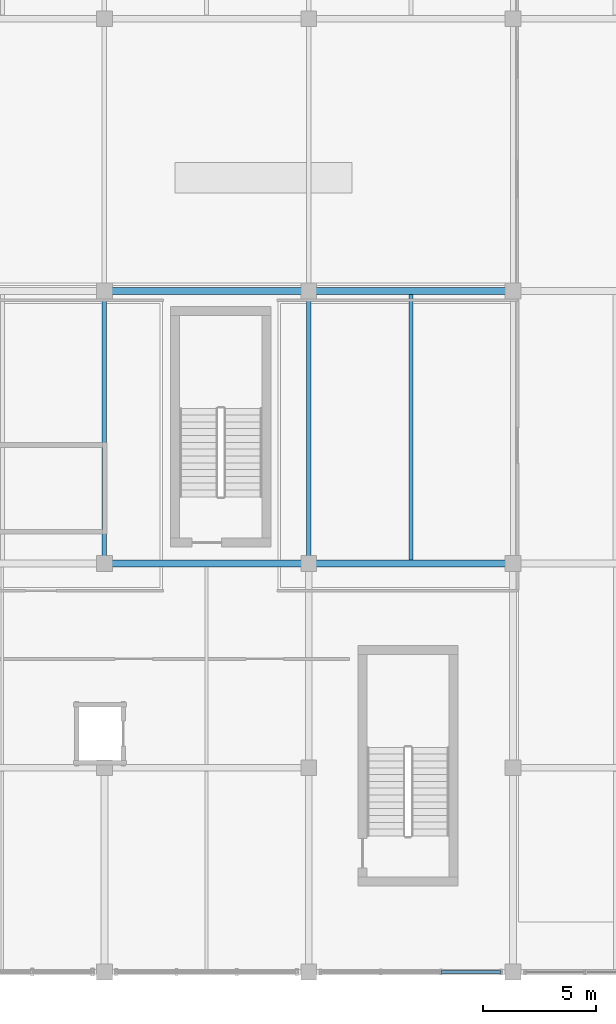
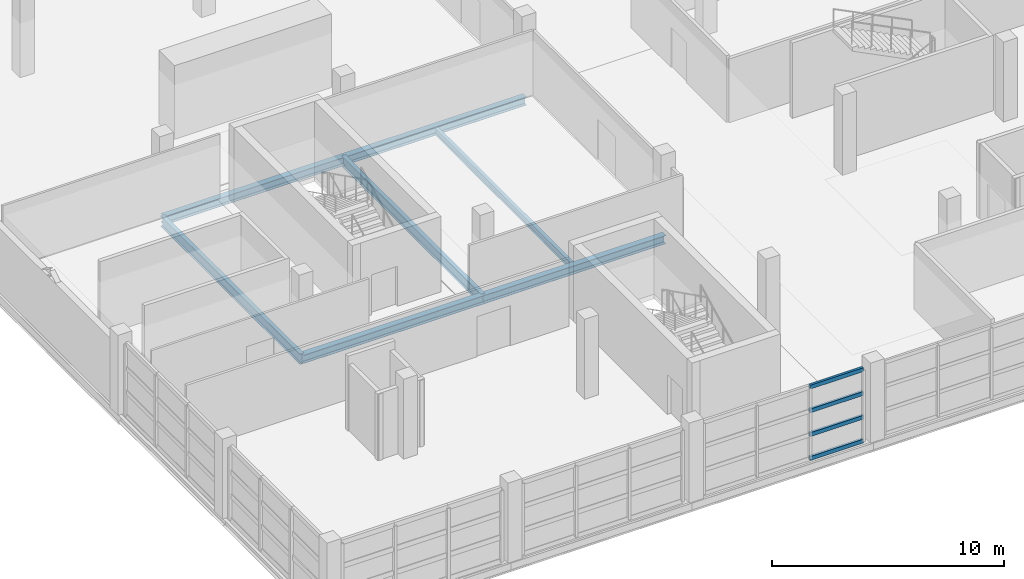
# One storey, part 61 of 136: 7 beams, 4 members, 1 element without a shape of its own.
"""IFC4 building model written with IfcOpenShell, lengths in metres."""

from ifc_helpers import new_model, si_unit, direction, frame, origin, origin_2d, place, context, subcontext, project, spatial, hollow_rectangle, i_section, extrude, material, material_profile, profile_set, type_object, element, aggregate, save


model = new_model("IFC4")

# Units and contexts
model_context = context("Model", 3, precision=1e-05, world=origin(), true_north=direction((0.0, 1.0)))
body_context = subcontext(model_context, "Body", "Model", "MODEL_VIEW")
ifc_project = project(units=[si_unit("LENGTHUNIT", "METRE"), si_unit("AREAUNIT", "SQUARE_METRE"), si_unit("VOLUMEUNIT", "CUBIC_METRE"), si_unit("PLANEANGLEUNIT", "RADIAN"), si_unit("MASSUNIT", "GRAM", prefix="KILO")], contexts=[model_context])

# Site, building, storey
site_placement = place(None, origin())
site = spatial("IfcSite", under=ifc_project, at=site_placement, CompositionType="ELEMENT")
building_placement = place(site_placement, origin())
building = spatial("IfcBuilding", under=site, at=building_placement, Name="Chuanluo Vaults Station", CompositionType="ELEMENT")
storey_placement = place(building_placement, frame((0.0, 0.0, 6.60009765625)))
storey = spatial("IfcBuildingStorey", under=building, at=storey_placement, Name="L01", CompositionType="ELEMENT", Elevation=6.60009765625)

# Beams
ifc_material_1 = material(Name="Steel Q355C", Category="steel")
ifc_material_profile_1 = material_profile(ifc_material_1, i_section(OverallWidth=0.300048828125, OverallDepth=0.43994140625, WebThickness=0.010986328125, FlangeThickness=0.01806640625, FilletRadius=0.02001953125, at=origin_2d()))
ifc_profile_set_1 = profile_set([ifc_material_profile_1], Name="Steel Q355C")
beam_type_1 = type_object("IfcBeamType", Name="BM-GRD-450", PredefinedType="USERDEFINED", material=ifc_profile_set_1)
for number, where, z_axis, x_axis, name in (
    (1, (145.0, 18.0, -0.460205078125), (1.0, 0.0, 0.0), (0.0, 1.0, 0.0), "Floor girder BM:GX:L01:0297"),
    (2, (154.0, 18.0, -0.460205078125), (1.0, 0.0, 0.0), (0.0, 1.0, 0.0), "Floor girder BM:GX:L01:0298"),
    (3, (145.0, 30.0, -0.460205078125), (1.0, 0.0, 0.0), (0.0, 1.0, 0.0), "Floor girder BM:GX:L01:0305"),
    (4, (154.0, 30.0, -0.460205078125), (1.0, 0.0, 0.0), (0.0, 1.0, 0.0), "Floor girder BM:GX:L01:0306"),
):
    element("IfcBeam", number, at=place(storey_placement, frame(where, z_axis=z_axis, x_axis=x_axis)), inside=storey, type_object=beam_type_1, Name=name, ObjectType="GIRDER", PredefinedType="USERDEFINED", context=body_context, shape_type="SweptSolid", body=[
        extrude(i_section(OverallWidth=0.300048828125, OverallDepth=0.43994140625, WebThickness=0.010986328125, FlangeThickness=0.01806640625, FilletRadius=0.02001953125, at=origin_2d()), origin(), (0.0, 0.0, 1.0), 9.0),
    ])
ifc_material_2 = material(Name="Steel Q355C", Category="steel")
ifc_material_profile_2 = material_profile(ifc_material_2, i_section(OverallWidth=0.199951171875, OverallDepth=0.550048828125, WebThickness=0.010009765625, FlangeThickness=0.01611328125, FilletRadius=0.01806640625, at=origin_2d()))
ifc_profile_set_2 = profile_set([ifc_material_profile_2], Name="Steel Q355C")
beam_type_2 = type_object("IfcBeamType", Name="BM-GRD-550", PredefinedType="USERDEFINED", material=ifc_profile_set_2)
for number, where, z_axis, x_axis, name in (
    (5, (145.0, 18.0, -0.51513671875), (0.0, 1.0, 0.0), (-1.0, 0.0, 0.0), "Floor girder BM:GY:L01:0467"),
    (6, (154.0, 18.0, -0.51513671875), (0.0, 1.0, 0.0), (-1.0, 0.0, 0.0), "Floor girder BM:GY:L01:0479"),
):
    element("IfcBeam", number, at=place(storey_placement, frame(where, z_axis=z_axis, x_axis=x_axis)), inside=storey, type_object=beam_type_2, Name=name, ObjectType="GIRDER", PredefinedType="USERDEFINED", context=body_context, shape_type="SweptSolid", body=[
        extrude(i_section(OverallWidth=0.199951171875, OverallDepth=0.550048828125, WebThickness=0.010009765625, FlangeThickness=0.01611328125, FilletRadius=0.01806640625, at=origin_2d()), origin(), (0.0, 0.0, 1.0), 12.0),
    ])
ifc_material_3 = material(Name="Steel Q355C", Category="steel")
ifc_material_profile_3 = material_profile(ifc_material_3, i_section(OverallWidth=0.175048828125, OverallDepth=0.35009765625, WebThickness=0.007080078125, FlangeThickness=0.010986328125, FilletRadius=0.013916015625, at=origin_2d()))
ifc_profile_set_3 = profile_set([ifc_material_profile_3], Name="Steel Q355C")
beam_type_3 = type_object("IfcBeamType", Name="BM-SEC-350", PredefinedType="JOIST", material=ifc_profile_set_3)
beam_placement = place(storey_placement, frame((158.5, 18.155029296875, -0.4150390625), z_axis=(0.0, 1.0, 0.0), x_axis=(-1.0, 0.0, 0.0)))
element("IfcBeam", 7, at=beam_placement, inside=storey, type_object=beam_type_3, Name="Composite secondary joist 0168", PredefinedType="JOIST", context=body_context, shape_type="SweptSolid", body=[
    extrude(i_section(OverallWidth=0.175048828125, OverallDepth=0.35009765625, WebThickness=0.007080078125, FlangeThickness=0.010986328125, FilletRadius=0.013916015625, at=origin_2d()), origin(), (0.0, 0.0, 1.0), 11.68994140625),
])

# Curtain wall, members
ifc_material_4 = material(Name="Anodised aluminium 6063-T6", Category="aluminium")
curtain_wall_type = type_object("IfcCurtainWallType", Name="CW-SYS-11", PredefinedType="NOTDEFINED", material=ifc_material_4)
curtain_wall_placement = place(storey_placement, origin())
curtain_wall = element("IfcCurtainWall", 8, at=curtain_wall_placement, inside=storey, type_object=curtain_wall_type, Name="Retail pavilion L01 facade CW", PredefinedType="NOTDEFINED")
ifc_material_5 = material(Name="Anodised aluminium 6063-T6", Category="aluminium")
ifc_material_profile_4 = material_profile(ifc_material_5, hollow_rectangle(XDim=0.1201171875, YDim=0.205078125, WallThickness=0.006103515625, at=origin_2d()))
ifc_profile_set_4 = profile_set([ifc_material_profile_4], Name="Anodised aluminium 6063-T6")
member_type = type_object("IfcMemberType", Name="CWT-130", PredefinedType="USERDEFINED", material=ifc_profile_set_4)
member_1_placement = place(storey_placement, frame((162.47509765625, 0.0, 0.0), z_axis=(-1.0, 0.0, 0.0), x_axis=(0.0, -1.0, 0.0)))
member_1 = element("IfcMember", 9, at=member_1_placement, type_object=member_type, Name="Retail pavilion L01 facade CW transom 1.1", ObjectType="TRANSOM", PredefinedType="USERDEFINED", context=body_context, shape_type="SweptSolid", body=[
    extrude(hollow_rectangle(XDim=0.1201171875, YDim=0.205078125, WallThickness=0.006103515625, at=origin_2d()), origin(), (0.0, 0.0, 1.0), 2.650146484375),
])
member_2_placement = place(storey_placement, frame((162.47509765625, 0.0, 1.25), z_axis=(-1.0, 0.0, 0.0), x_axis=(0.0, -1.0, 0.0)))
member_2 = element("IfcMember", 10, at=member_2_placement, type_object=member_type, Name="Retail pavilion L01 facade CW transom 1.2", ObjectType="TRANSOM", PredefinedType="USERDEFINED", context=body_context, shape_type="SweptSolid", body=[
    extrude(hollow_rectangle(XDim=0.1201171875, YDim=0.205078125, WallThickness=0.006103515625, at=origin_2d()), origin(), (0.0, 0.0, 1.0), 2.650146484375),
])
member_3_placement = place(storey_placement, frame((162.47509765625, 0.0, 2.5), z_axis=(-1.0, 0.0, 0.0), x_axis=(0.0, -1.0, 0.0)))
member_3 = element("IfcMember", 11, at=member_3_placement, type_object=member_type, Name="Retail pavilion L01 facade CW transom 1.3", ObjectType="TRANSOM", PredefinedType="USERDEFINED", context=body_context, shape_type="SweptSolid", body=[
    extrude(hollow_rectangle(XDim=0.1201171875, YDim=0.205078125, WallThickness=0.006103515625, at=origin_2d()), origin(), (0.0, 0.0, 1.0), 2.650146484375),
])
member_4_placement = place(storey_placement, frame((162.47509765625, 0.0, 3.75), z_axis=(-1.0, 0.0, 0.0), x_axis=(0.0, -1.0, 0.0)))
member_4 = element("IfcMember", 12, at=member_4_placement, type_object=member_type, Name="Retail pavilion L01 facade CW transom 1.4", ObjectType="TRANSOM", PredefinedType="USERDEFINED", context=body_context, shape_type="SweptSolid", body=[
    extrude(hollow_rectangle(XDim=0.1201171875, YDim=0.205078125, WallThickness=0.006103515625, at=origin_2d()), origin(), (0.0, 0.0, 1.0), 2.650146484375),
])
aggregate(curtain_wall, [member_1, member_2, member_3, member_4])

save(model, "model.ifc")
